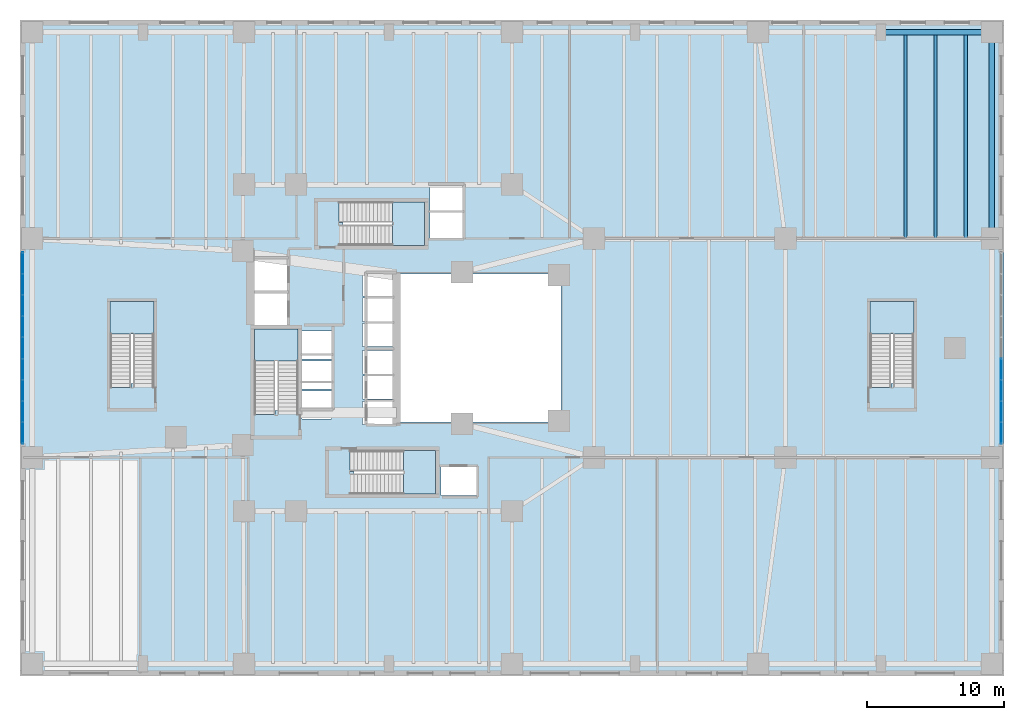
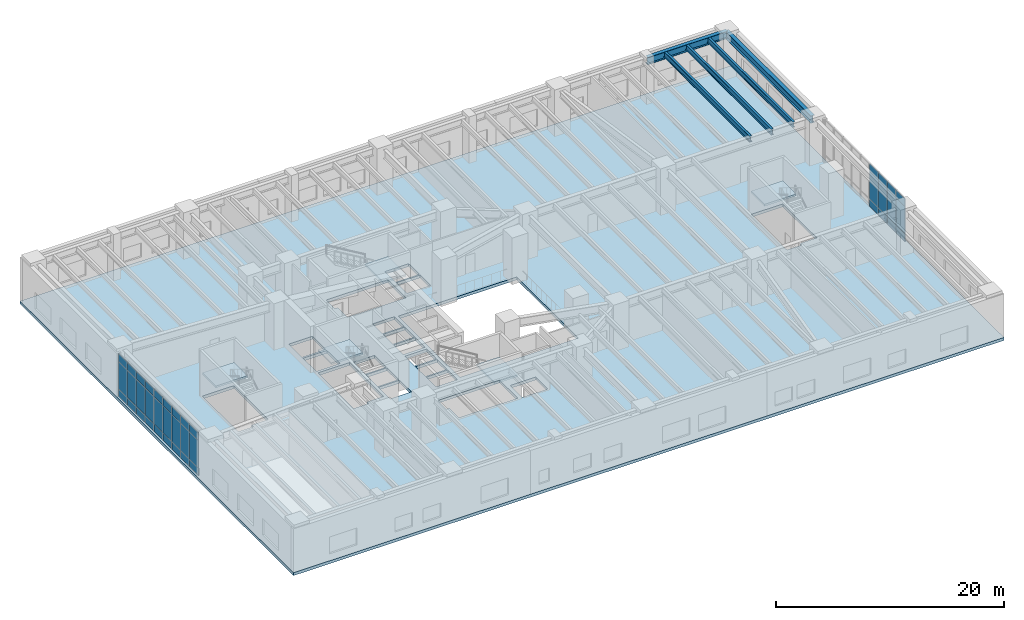
# One storey, part 11 of 18: 39 plates, 6 slabs, 5 beams, 7 elements without a shape of their own.
"""IFC4 building model written with IfcOpenShell, lengths in metres."""

from ifc_helpers import new_model, si_unit, direction, frame, origin, origin_2d, place, context, subcontext, project, spatial, polyline, rectangle, i_section, outline, extrude, material, layer, layer_set, material_profile, profile_set, type_object, element, aggregate, save


model = new_model("IFC4")

# Units and contexts
model_context = context("Model", 3, precision=1e-05, world=origin(), true_north=direction((0.0, 1.0)))
body_context = subcontext(model_context, "Body", "Model", "MODEL_VIEW")
ifc_project = project(units=[si_unit("LENGTHUNIT", "METRE"), si_unit("AREAUNIT", "SQUARE_METRE"), si_unit("VOLUMEUNIT", "CUBIC_METRE"), si_unit("PLANEANGLEUNIT", "RADIAN"), si_unit("MASSUNIT", "GRAM", prefix="KILO"), si_unit("THERMODYNAMICTEMPERATUREUNIT", "KELVIN"), si_unit("POWERUNIT", "WATT")], contexts=[model_context])

# Site, building, storey
site_placement = place(None, origin())
site = spatial("IfcSite", under=ifc_project, at=site_placement, CompositionType="ELEMENT")
building_placement = place(site_placement, origin())
building = spatial("IfcBuilding", under=site, at=building_placement, Name="Skarre Station Tower", CompositionType="ELEMENT")
storey_placement = place(building_placement, frame((0.0, 0.0, 11.0)))
storey = spatial("IfcBuildingStorey", under=building, at=storey_placement, Name="L03", CompositionType="ELEMENT", Elevation=11.0)

# Beams
ifc_material_1 = material(Name="Steel ASTM A992 Grade 50", Category="steel")
ifc_material_profile_1 = material_profile(ifc_material_1, i_section(OverallWidth=0.22802734375, OverallDepth=0.60791015625, WebThickness=0.010986328125, FlangeThickness=0.01708984375, at=origin_2d()), Name="Steel ASTM A992 Grade 50")
ifc_profile_set_1 = profile_set([ifc_material_profile_1], Name="Steel ASTM A992 Grade 50")
beam_type_1 = type_object("IfcBeamType", Name="Steel Joist W24X76", PredefinedType="JOIST", material=ifc_profile_set_1)
for number, where, z_axis, x_axis, name in (
    (1, (64.800048828125, 32.0, 4.385986328125), (0.0, 1.0, 0.0), (-1.0, 0.0, 0.0), "L03 North Bay Joist 24"),
    (2, (67.0, 32.0, 4.385986328125), (0.0, 1.0, 0.0), (-1.0, 0.0, 0.0), "L03 North Bay Joist 25"),
    (3, (69.199951171875, 32.0, 4.385986328125), (0.0, 1.0, 0.0), (-1.0, 0.0, 0.0), "L03 North Bay Joist 26"),
):
    element("IfcBeam", number, at=place(storey_placement, frame(where, z_axis=z_axis, x_axis=x_axis)), inside=storey, type_object=beam_type_1, Name=name, PredefinedType="JOIST", context=body_context, shape_type="SweptSolid", body=[
        extrude(i_section(OverallWidth=0.22802734375, OverallDepth=0.60791015625, WebThickness=0.010986328125, FlangeThickness=0.01708984375, at=origin_2d()), origin(), (0.0, 0.0, 1.0), 15.10009765625),
    ])
ifc_material_profile_2 = material_profile(ifc_material_1, i_section(OverallWidth=0.384033203125, OverallDepth=0.785888671875, WebThickness=0.02001953125, FlangeThickness=0.032958984375, at=origin_2d()), Name="Steel ASTM A992 Grade 50")
ifc_profile_set_2 = profile_set([ifc_material_profile_2], Name="Steel ASTM A992 Grade 50")
beam_type_2 = type_object("IfcBeamType", Name="Steel Spandrel W30X211", PredefinedType="SPANDREL", material=ifc_profile_set_2)
beam_1_placement = place(storey_placement, frame((63.0, 47.10009765625, 4.297119140625), z_axis=(1.0, 0.0, 0.0), x_axis=(0.0, 1.0, 0.0)))
element("IfcBeam", 4, at=beam_1_placement, inside=storey, type_object=beam_type_2, Name="L03 North Podium Spandrel 8", PredefinedType="SPANDREL", context=body_context, shape_type="SweptSolid", body=[
    extrude(i_section(OverallWidth=0.384033203125, OverallDepth=0.785888671875, WebThickness=0.02001953125, FlangeThickness=0.032958984375, at=origin_2d()), origin(), (0.0, 0.0, 1.0), 8.10009765625),
])
beam_2_placement = place(storey_placement, frame((71.10009765625, 32.0, 4.297119140625), z_axis=(0.0, 1.0, 0.0), x_axis=(-1.0, 0.0, 0.0)))
element("IfcBeam", 5, at=beam_2_placement, inside=storey, type_object=beam_type_2, Name="L03 East Podium Spandrel 3", PredefinedType="SPANDREL", context=body_context, shape_type="SweptSolid", body=[
    extrude(i_section(OverallWidth=0.384033203125, OverallDepth=0.785888671875, WebThickness=0.02001953125, FlangeThickness=0.032958984375, at=origin_2d()), origin(), (0.0, 0.0, 1.0), 15.10009765625),
])

# Curtain wall, plates
ifc_material_2 = material(Name="Thermally Broken Bronze-Anodized Aluminium & Triple Low-E Glass", Category="aluminium")
ifc_layer_1 = layer(ifc_material_2, 0.239990234375, Name="Thermally Broken Bronze-Anodized Aluminium & Triple Low-E Glass")
ifc_layer_set_1 = layer_set([ifc_layer_1], Name="Thermally Broken Bronze-Anodized Aluminium & Triple Low-E Glass")
curtain_wall_type = type_object("IfcCurtainWallType", Name="Station Concourse Monumental Unitised Curtain Wall", PredefinedType="NOTDEFINED", material=ifc_layer_set_1)
curtain_wall_1_placement = place(storey_placement, origin())
curtain_wall_1 = element("IfcCurtainWall", 6, at=curtain_wall_1_placement, inside=storey, type_object=curtain_wall_type, Name="L03 West Atrium Clerestory Curtain Wall", PredefinedType="NOTDEFINED")
ifc_material_3 = material(Name="Insulated Bronze Anodized Aluminium Spandrel", Category="aluminium")
ifc_layer_2 = layer(ifc_material_3, 0.052001953125, Name="Insulated Bronze Anodized Aluminium Spandrel")
ifc_layer_set_2 = layer_set([ifc_layer_2], Name="Insulated Bronze Anodized Aluminium Spandrel")
plate_type_1 = type_object("IfcPlateType", Name="Bronze Insulated Spandrel Sheet Panel 52", PredefinedType="SHEET", material=ifc_layer_set_2)
plate_1_placement = place(storey_placement, frame((0.199951171875, 17.778076171875, 0.05224609375), z_axis=(0.0, 0.0, 1.0), x_axis=(0.0, 1.0, 0.0)))
plate_1 = element("IfcPlate", 7, at=plate_1_placement, type_object=plate_type_1, Name="L03 West Atrium Clerestory Curtain Wall Spandrel Panel 1-1", PredefinedType="SHEET", context=body_context, shape_type="SweptSolid", body=[
    extrude(rectangle(XDim=1.531982421875, YDim=0.052001953125, at=origin_2d()), origin(), (0.0, 0.0, 1.0), 0.785888671875),
])
plate_2_placement = place(storey_placement, frame((0.199951171875, 19.3330078125, 0.05224609375), z_axis=(0.0, 0.0, 1.0), x_axis=(0.0, 1.0, 0.0)))
plate_2 = element("IfcPlate", 8, at=plate_2_placement, type_object=plate_type_1, Name="L03 West Atrium Clerestory Curtain Wall Spandrel Panel 2-1", PredefinedType="SHEET", context=body_context, shape_type="SweptSolid", body=[
    extrude(rectangle(XDim=1.531982421875, YDim=0.052001953125, at=origin_2d()), origin(), (0.0, 0.0, 1.0), 0.785888671875),
])
plate_3_placement = place(storey_placement, frame((0.199951171875, 20.888916015625, 0.05224609375), z_axis=(0.0, 0.0, 1.0), x_axis=(0.0, 1.0, 0.0)))
plate_3 = element("IfcPlate", 9, at=plate_3_placement, type_object=plate_type_1, Name="L03 West Atrium Clerestory Curtain Wall Spandrel Panel 3-1", PredefinedType="SHEET", context=body_context, shape_type="SweptSolid", body=[
    extrude(rectangle(XDim=1.531982421875, YDim=0.052001953125, at=origin_2d()), origin(), (0.0, 0.0, 1.0), 0.785888671875),
])
plate_4_placement = place(storey_placement, frame((0.199951171875, 22.444091796875, 0.05224609375), z_axis=(0.0, 0.0, 1.0), x_axis=(0.0, 1.0, 0.0)))
plate_4 = element("IfcPlate", 10, at=plate_4_placement, type_object=plate_type_1, Name="L03 West Atrium Clerestory Curtain Wall Spandrel Panel 4-1", PredefinedType="SHEET", context=body_context, shape_type="SweptSolid", body=[
    extrude(rectangle(XDim=1.531982421875, YDim=0.052001953125, at=origin_2d()), origin(), (0.0, 0.0, 1.0), 0.785888671875),
])
plate_5_placement = place(storey_placement, frame((0.199951171875, 24.0, 0.05224609375), z_axis=(0.0, 0.0, 1.0), x_axis=(0.0, 1.0, 0.0)))
plate_5 = element("IfcPlate", 11, at=plate_5_placement, type_object=plate_type_1, Name="L03 West Atrium Clerestory Curtain Wall Spandrel Panel 5-1", PredefinedType="SHEET", context=body_context, shape_type="SweptSolid", body=[
    extrude(rectangle(XDim=1.531982421875, YDim=0.052001953125, at=origin_2d()), origin(), (0.0, 0.0, 1.0), 0.785888671875),
])
plate_6_placement = place(storey_placement, frame((0.199951171875, 25.555908203125, 0.05224609375), z_axis=(0.0, 0.0, 1.0), x_axis=(0.0, 1.0, 0.0)))
plate_6 = element("IfcPlate", 12, at=plate_6_placement, type_object=plate_type_1, Name="L03 West Atrium Clerestory Curtain Wall Spandrel Panel 6-1", PredefinedType="SHEET", context=body_context, shape_type="SweptSolid", body=[
    extrude(rectangle(XDim=1.531982421875, YDim=0.052001953125, at=origin_2d()), origin(), (0.0, 0.0, 1.0), 0.785888671875),
])
plate_7_placement = place(storey_placement, frame((0.199951171875, 27.111083984375, 0.05224609375), z_axis=(0.0, 0.0, 1.0), x_axis=(0.0, 1.0, 0.0)))
plate_7 = element("IfcPlate", 13, at=plate_7_placement, type_object=plate_type_1, Name="L03 West Atrium Clerestory Curtain Wall Spandrel Panel 7-1", PredefinedType="SHEET", context=body_context, shape_type="SweptSolid", body=[
    extrude(rectangle(XDim=1.531982421875, YDim=0.052001953125, at=origin_2d()), origin(), (0.0, 0.0, 1.0), 0.785888671875),
])
plate_8_placement = place(storey_placement, frame((0.199951171875, 28.6669921875, 0.05224609375), z_axis=(0.0, 0.0, 1.0), x_axis=(0.0, 1.0, 0.0)))
plate_8 = element("IfcPlate", 14, at=plate_8_placement, type_object=plate_type_1, Name="L03 West Atrium Clerestory Curtain Wall Spandrel Panel 8-1", PredefinedType="SHEET", context=body_context, shape_type="SweptSolid", body=[
    extrude(rectangle(XDim=1.531982421875, YDim=0.052001953125, at=origin_2d()), origin(), (0.0, 0.0, 1.0), 0.785888671875),
])
plate_9_placement = place(storey_placement, frame((0.199951171875, 30.221923828125, 0.05224609375), z_axis=(0.0, 0.0, 1.0), x_axis=(0.0, 1.0, 0.0)))
plate_9 = element("IfcPlate", 15, at=plate_9_placement, type_object=plate_type_1, Name="L03 West Atrium Clerestory Curtain Wall Spandrel Panel 9-1", PredefinedType="SHEET", context=body_context, shape_type="SweptSolid", body=[
    extrude(rectangle(XDim=1.531982421875, YDim=0.052001953125, at=origin_2d()), origin(), (0.0, 0.0, 1.0), 0.785888671875),
])

curtain_wall_2_placement = place(storey_placement, origin())
curtain_wall_2 = element("IfcCurtainWall", 16, at=curtain_wall_2_placement, inside=storey, type_object=curtain_wall_type, Name="L03 East Forum Clerestory Curtain Wall", PredefinedType="NOTDEFINED")
plate_10_placement = place(storey_placement, frame((71.800048828125, 22.444091796875, 0.05224609375), z_axis=(0.0, 0.0, 1.0), x_axis=(0.0, -1.0, 0.0)))
plate_10 = element("IfcPlate", 17, at=plate_10_placement, type_object=plate_type_1, Name="L03 East Forum Clerestory Curtain Wall Spandrel Panel 6-1", PredefinedType="SHEET", context=body_context, shape_type="SweptSolid", body=[
    extrude(rectangle(XDim=1.531982421875, YDim=0.052001953125, at=origin_2d()), origin(), (0.0, 0.0, 1.0), 0.785888671875),
])
plate_11_placement = place(storey_placement, frame((71.800048828125, 20.888916015625, 0.05224609375), z_axis=(0.0, 0.0, 1.0), x_axis=(0.0, -1.0, 0.0)))
plate_11 = element("IfcPlate", 18, at=plate_11_placement, type_object=plate_type_1, Name="L03 East Forum Clerestory Curtain Wall Spandrel Panel 7-1", PredefinedType="SHEET", context=body_context, shape_type="SweptSolid", body=[
    extrude(rectangle(XDim=1.531982421875, YDim=0.052001953125, at=origin_2d()), origin(), (0.0, 0.0, 1.0), 0.785888671875),
])
plate_12_placement = place(storey_placement, frame((71.800048828125, 19.3330078125, 0.05224609375), z_axis=(0.0, 0.0, 1.0), x_axis=(0.0, -1.0, 0.0)))
plate_12 = element("IfcPlate", 19, at=plate_12_placement, type_object=plate_type_1, Name="L03 East Forum Clerestory Curtain Wall Spandrel Panel 8-1", PredefinedType="SHEET", context=body_context, shape_type="SweptSolid", body=[
    extrude(rectangle(XDim=1.531982421875, YDim=0.052001953125, at=origin_2d()), origin(), (0.0, 0.0, 1.0), 0.785888671875),
])
plate_13_placement = place(storey_placement, frame((71.800048828125, 17.778076171875, 0.05224609375), z_axis=(0.0, 0.0, 1.0), x_axis=(0.0, -1.0, 0.0)))
plate_13 = element("IfcPlate", 20, at=plate_13_placement, type_object=plate_type_1, Name="L03 East Forum Clerestory Curtain Wall Spandrel Panel 9-1", PredefinedType="SHEET", context=body_context, shape_type="SweptSolid", body=[
    extrude(rectangle(XDim=1.531982421875, YDim=0.052001953125, at=origin_2d()), origin(), (0.0, 0.0, 1.0), 0.785888671875),
])

# Slab
ifc_material_4 = material(Name="Concrete C50/60", Category="concrete")
ifc_layer_3 = layer(ifc_material_4, 0.31005859375, Name="Concrete C50/60")
ifc_layer_set_3 = layer_set([ifc_layer_3], Name="Concrete C50/60")
slab_type_1 = type_object("IfcSlabType", Name="Podium & Plant Structural Slab 310", PredefinedType="FLOOR", material=ifc_layer_set_3)
slab_1_placement = place(storey_placement, frame((0.0, 0.0, -0.31005859375)))
element("IfcSlab", 21, at=slab_1_placement, inside=storey, type_object=slab_type_1, Name="L03 Station Podium Structural Floor Slab", PredefinedType="FLOOR", context=body_context, shape_type="SweptSolid", body=[
    extrude(outline(polyline([(0.0, 0.0), (72.0, 0.0), (72.0, 48.0), (0.0, 48.0), (0.0, 0.0)]), holes=[polyline([(18.669921875, 19.419921875), (18.669921875, 19.123046875), (17.14990234375, 19.123046875), (17.14990234375, 25.39990234375), (20.35009765625, 25.39990234375), (20.35009765625, 19.419921875), (18.669921875, 19.419921875)]), polyline([(24.449951171875, 14.97998046875), (24.153076171875, 14.97998046875), (24.153076171875, 16.5), (30.39990234375, 16.5), (30.39990234375, 13.300048828125), (24.449951171875, 13.300048828125), (24.449951171875, 14.97998046875)]), polyline([(23.64990234375, 33.179931640625), (23.35302734375, 33.179931640625), (23.35302734375, 34.699951171875), (29.60009765625, 34.699951171875), (29.60009765625, 31.5), (23.64990234375, 31.5), (23.64990234375, 33.179931640625)]), polyline([(8.1201171875, 21.419921875), (8.1201171875, 21.123046875), (6.60009765625, 21.123046875), (6.60009765625, 27.39990234375), (9.800048828125, 27.39990234375), (9.800048828125, 21.419921875), (8.1201171875, 21.419921875)]), polyline([(63.719970703125, 21.419921875), (63.719970703125, 21.123046875), (62.199951171875, 21.123046875), (62.199951171875, 27.39990234375), (65.39990234375, 27.39990234375), (65.39990234375, 21.419921875), (63.719970703125, 21.419921875)]), polyline([(17.14990234375, 28.0), (19.550048828125, 28.0), (19.550048828125, 25.699951171875), (17.14990234375, 25.699951171875), (17.14990234375, 28.0)]), polyline([(17.14990234375, 30.5), (19.550048828125, 30.5), (19.550048828125, 28.199951171875), (17.14990234375, 28.199951171875), (17.14990234375, 30.5)]), polyline([(30.800048828125, 15.300048828125), (33.39990234375, 15.300048828125), (33.39990234375, 13.199951171875), (30.800048828125, 13.199951171875), (30.800048828125, 15.300048828125)]), polyline([(25.050048828125, 20.10009765625), (27.25, 20.10009765625), (27.25, 18.39990234375), (25.050048828125, 18.39990234375), (25.050048828125, 20.10009765625)]), polyline([(25.050048828125, 21.949951171875), (27.25, 21.949951171875), (27.25, 20.25), (25.050048828125, 20.25), (25.050048828125, 21.949951171875)]), polyline([(25.050048828125, 23.800048828125), (27.25, 23.800048828125), (27.25, 22.10009765625), (25.050048828125, 22.10009765625), (25.050048828125, 23.800048828125)]), polyline([(25.050048828125, 25.800048828125), (27.25, 25.800048828125), (27.25, 24.10009765625), (25.050048828125, 24.10009765625), (25.050048828125, 25.800048828125)]), polyline([(25.050048828125, 27.64990234375), (27.25, 27.64990234375), (27.25, 25.949951171875), (25.050048828125, 25.949951171875), (25.050048828125, 27.64990234375)]), polyline([(25.050048828125, 29.5), (27.25, 29.5), (27.25, 27.800048828125), (25.050048828125, 27.800048828125), (25.050048828125, 29.5)]), polyline([(20.64990234375, 20.85009765625), (22.800048828125, 20.85009765625), (22.800048828125, 18.800048828125), (20.64990234375, 18.800048828125), (20.64990234375, 20.85009765625)]), polyline([(20.64990234375, 23.050048828125), (22.800048828125, 23.050048828125), (22.800048828125, 21.0), (20.64990234375, 21.0), (20.64990234375, 23.050048828125)]), polyline([(20.64990234375, 25.25), (22.800048828125, 25.25), (22.800048828125, 23.199951171875), (20.64990234375, 23.199951171875), (20.64990234375, 25.25)]), polyline([(30.0, 33.89990234375), (32.39990234375, 33.89990234375), (32.39990234375, 32.050048828125), (30.0, 32.050048828125), (30.0, 33.89990234375)]), polyline([(30.0, 35.89990234375), (32.39990234375, 35.89990234375), (32.39990234375, 34.050048828125), (30.0, 34.050048828125), (30.0, 35.89990234375)]), polyline([(27.60009765625, 29.39990234375), (39.60009765625, 29.39990234375), (39.60009765625, 18.60009765625), (27.60009765625, 18.60009765625), (27.60009765625, 29.39990234375)])]), origin(), (0.0, 0.0, 1.0), 0.31005859375),
])

# Stair, slab
ifc_material_5 = material(Name="Concrete C40/50", Category="concrete")
stair_type_1 = type_object("IfcStairType", Name="Reinforced Concrete Exit Stair ST-1", PredefinedType="HALF_TURN_STAIR", material=ifc_material_5)
stair_1_placement = place(storey_placement, origin())
stair_1 = element("IfcStair", 22, at=stair_1_placement, inside=storey, type_object=stair_type_1, Name="L03 Core Exit Stair ST-1", PredefinedType="HALF_TURN_STAIR")
ifc_layer_4 = layer(ifc_material_5, 0.219970703125, Name="Concrete C40/50")
ifc_layer_set_4 = layer_set([ifc_layer_4], Name="Concrete C40/50")
slab_type_2 = type_object("IfcSlabType", Name="Reinforced Concrete Stair & Ramp Landing 220", PredefinedType="LANDING", material=ifc_layer_set_4)
slab_2_placement = place(storey_placement, frame((0.0, 0.0, 2.300048828125)))
slab_2 = element("IfcSlab", 23, at=slab_2_placement, type_object=slab_type_2, Name="ST-1 landing 1", PredefinedType="LANDING", context=body_context, shape_type="SweptSolid", body=[
    extrude(outline(polyline([(20.35009765625, 23.0400390625), (20.35009765625, 25.39990234375), (17.14990234375, 25.39990234375), (17.14990234375, 23.0400390625), (20.35009765625, 23.0400390625)])), origin(), (0.0, 0.0, 1.0), 0.199951171875),
])
aggregate(stair_1, [slab_2])

stair_type_2 = type_object("IfcStairType", Name="Reinforced Concrete Exit Stair ST-2", PredefinedType="HALF_TURN_STAIR", material=ifc_material_5)
stair_2_placement = place(storey_placement, origin())
stair_2 = element("IfcStair", 24, at=stair_2_placement, inside=storey, type_object=stair_type_2, Name="L03 Core Exit Stair ST-2", PredefinedType="HALF_TURN_STAIR")
slab_3_placement = place(storey_placement, frame((0.0, 0.0, 2.300048828125)))
slab_3 = element("IfcSlab", 25, at=slab_3_placement, type_object=slab_type_2, Name="ST-2 landing 1", PredefinedType="LANDING", context=body_context, shape_type="SweptSolid", body=[
    extrude(outline(polyline([(28.070068359375, 13.300048828125), (30.39990234375, 13.300048828125), (30.39990234375, 16.5), (28.070068359375, 16.5), (28.070068359375, 13.300048828125)])), origin(), (0.0, 0.0, 1.0), 0.199951171875),
])
aggregate(stair_2, [slab_3])

stair_type_3 = type_object("IfcStairType", Name="Reinforced Concrete Exit Stair ST-3", PredefinedType="HALF_TURN_STAIR", material=ifc_material_5)
stair_3_placement = place(storey_placement, origin())
stair_3 = element("IfcStair", 26, at=stair_3_placement, inside=storey, type_object=stair_type_3, Name="L03 Core Exit Stair ST-3", PredefinedType="HALF_TURN_STAIR")
slab_4_placement = place(storey_placement, frame((0.0, 0.0, 2.300048828125)))
slab_4 = element("IfcSlab", 27, at=slab_4_placement, type_object=slab_type_2, Name="ST-3 landing 1", PredefinedType="LANDING", context=body_context, shape_type="SweptSolid", body=[
    extrude(outline(polyline([(27.27001953125, 31.5), (29.60009765625, 31.5), (29.60009765625, 34.699951171875), (27.27001953125, 34.699951171875), (27.27001953125, 31.5)])), origin(), (0.0, 0.0, 1.0), 0.199951171875),
])
aggregate(stair_3, [slab_4])

stair_type_4 = type_object("IfcStairType", Name="Reinforced Concrete Exit Stair ST-4", PredefinedType="HALF_TURN_STAIR", material=ifc_material_5)
stair_4_placement = place(storey_placement, origin())
stair_4 = element("IfcStair", 28, at=stair_4_placement, inside=storey, type_object=stair_type_4, Name="L03 Podium Concourse Exit Stair ST-4", PredefinedType="HALF_TURN_STAIR")
slab_5_placement = place(storey_placement, frame((0.0, 0.0, 2.300048828125)))
slab_5 = element("IfcSlab", 29, at=slab_5_placement, type_object=slab_type_2, Name="ST-4 landing 1", PredefinedType="LANDING", context=body_context, shape_type="SweptSolid", body=[
    extrude(outline(polyline([(9.800048828125, 25.0400390625), (9.800048828125, 27.39990234375), (6.60009765625, 27.39990234375), (6.60009765625, 25.0400390625), (9.800048828125, 25.0400390625)])), origin(), (0.0, 0.0, 1.0), 0.199951171875),
])
aggregate(stair_4, [slab_5])

stair_type_5 = type_object("IfcStairType", Name="Reinforced Concrete Exit Stair ST-5", PredefinedType="HALF_TURN_STAIR", material=ifc_material_5)
stair_5_placement = place(storey_placement, origin())
stair_5 = element("IfcStair", 30, at=stair_5_placement, inside=storey, type_object=stair_type_5, Name="L03 Podium Concourse Exit Stair ST-5", PredefinedType="HALF_TURN_STAIR")
slab_6_placement = place(storey_placement, frame((0.0, 0.0, 2.300048828125)))
slab_6 = element("IfcSlab", 31, at=slab_6_placement, type_object=slab_type_2, Name="ST-5 landing 1", PredefinedType="LANDING", context=body_context, shape_type="SweptSolid", body=[
    extrude(outline(polyline([(65.39990234375, 25.0400390625), (65.39990234375, 27.39990234375), (62.199951171875, 27.39990234375), (62.199951171875, 25.0400390625), (65.39990234375, 25.0400390625)])), origin(), (0.0, 0.0, 1.0), 0.199951171875),
])
aggregate(stair_5, [slab_6])

# Plate
ifc_material_6 = material(Name="Low-Iron Triple Insulating Glass Unit", Category="glass")
ifc_layer_5 = layer(ifc_material_6, 0.0439453125, Name="Low-Iron Triple Insulating Glass Unit")
ifc_layer_set_5 = layer_set([ifc_layer_5], Name="Low-Iron Triple Insulating Glass Unit")
plate_type_2 = type_object("IfcPlateType", Name="Triple-Glazed Vision Curtain Panel 44", PredefinedType="CURTAIN_PANEL", material=ifc_layer_set_5)
plate_14_placement = place(storey_placement, frame((0.199951171875, 17.778076171875, 0.862060546875), z_axis=(0.0, 0.0, 1.0), x_axis=(0.0, 1.0, 0.0)))
plate_14 = element("IfcPlate", 32, at=plate_14_placement, type_object=plate_type_2, Name="L03 West Atrium Clerestory Curtain Wall Vision Panel 1-2", PredefinedType="CURTAIN_PANEL", context=body_context, shape_type="SweptSolid", body=[
    extrude(rectangle(XDim=1.531982421875, YDim=0.0439453125, at=origin_2d()), origin(), (0.0, 0.0, 1.0), 2.916015625),
])

plate_15_placement = place(storey_placement, frame((0.199951171875, 17.778076171875, 3.802001953125), z_axis=(0.0, 0.0, 1.0), x_axis=(0.0, 1.0, 0.0)))
plate_15 = element("IfcPlate", 33, at=plate_15_placement, type_object=plate_type_2, Name="L03 West Atrium Clerestory Curtain Wall Vision Panel 1-3", PredefinedType="CURTAIN_PANEL", context=body_context, shape_type="SweptSolid", body=[
    extrude(rectangle(XDim=1.531982421875, YDim=0.0439453125, at=origin_2d()), origin(), (0.0, 0.0, 1.0), 0.8359375),
])

plate_16_placement = place(storey_placement, frame((0.199951171875, 19.3330078125, 0.862060546875), z_axis=(0.0, 0.0, 1.0), x_axis=(0.0, 1.0, 0.0)))
plate_16 = element("IfcPlate", 34, at=plate_16_placement, type_object=plate_type_2, Name="L03 West Atrium Clerestory Curtain Wall Vision Panel 2-2", PredefinedType="CURTAIN_PANEL", context=body_context, shape_type="SweptSolid", body=[
    extrude(rectangle(XDim=1.531982421875, YDim=0.0439453125, at=origin_2d()), origin(), (0.0, 0.0, 1.0), 2.916015625),
])

plate_17_placement = place(storey_placement, frame((0.199951171875, 19.3330078125, 3.802001953125), z_axis=(0.0, 0.0, 1.0), x_axis=(0.0, 1.0, 0.0)))
plate_17 = element("IfcPlate", 35, at=plate_17_placement, type_object=plate_type_2, Name="L03 West Atrium Clerestory Curtain Wall Vision Panel 2-3", PredefinedType="CURTAIN_PANEL", context=body_context, shape_type="SweptSolid", body=[
    extrude(rectangle(XDim=1.531982421875, YDim=0.0439453125, at=origin_2d()), origin(), (0.0, 0.0, 1.0), 0.8359375),
])

plate_18_placement = place(storey_placement, frame((0.199951171875, 20.888916015625, 0.862060546875), z_axis=(0.0, 0.0, 1.0), x_axis=(0.0, 1.0, 0.0)))
plate_18 = element("IfcPlate", 36, at=plate_18_placement, type_object=plate_type_2, Name="L03 West Atrium Clerestory Curtain Wall Vision Panel 3-2", PredefinedType="CURTAIN_PANEL", context=body_context, shape_type="SweptSolid", body=[
    extrude(rectangle(XDim=1.531982421875, YDim=0.0439453125, at=origin_2d()), origin(), (0.0, 0.0, 1.0), 2.916015625),
])

plate_19_placement = place(storey_placement, frame((0.199951171875, 20.888916015625, 3.802001953125), z_axis=(0.0, 0.0, 1.0), x_axis=(0.0, 1.0, 0.0)))
plate_19 = element("IfcPlate", 37, at=plate_19_placement, type_object=plate_type_2, Name="L03 West Atrium Clerestory Curtain Wall Vision Panel 3-3", PredefinedType="CURTAIN_PANEL", context=body_context, shape_type="SweptSolid", body=[
    extrude(rectangle(XDim=1.531982421875, YDim=0.0439453125, at=origin_2d()), origin(), (0.0, 0.0, 1.0), 0.8359375),
])

plate_20_placement = place(storey_placement, frame((0.199951171875, 22.444091796875, 0.862060546875), z_axis=(0.0, 0.0, 1.0), x_axis=(0.0, 1.0, 0.0)))
plate_20 = element("IfcPlate", 38, at=plate_20_placement, type_object=plate_type_2, Name="L03 West Atrium Clerestory Curtain Wall Vision Panel 4-2", PredefinedType="CURTAIN_PANEL", context=body_context, shape_type="SweptSolid", body=[
    extrude(rectangle(XDim=1.531982421875, YDim=0.0439453125, at=origin_2d()), origin(), (0.0, 0.0, 1.0), 2.916015625),
])

plate_21_placement = place(storey_placement, frame((0.199951171875, 22.444091796875, 3.802001953125), z_axis=(0.0, 0.0, 1.0), x_axis=(0.0, 1.0, 0.0)))
plate_21 = element("IfcPlate", 39, at=plate_21_placement, type_object=plate_type_2, Name="L03 West Atrium Clerestory Curtain Wall Vision Panel 4-3", PredefinedType="CURTAIN_PANEL", context=body_context, shape_type="SweptSolid", body=[
    extrude(rectangle(XDim=1.531982421875, YDim=0.0439453125, at=origin_2d()), origin(), (0.0, 0.0, 1.0), 0.8359375),
])

plate_22_placement = place(storey_placement, frame((0.199951171875, 24.0, 0.862060546875), z_axis=(0.0, 0.0, 1.0), x_axis=(0.0, 1.0, 0.0)))
plate_22 = element("IfcPlate", 40, at=plate_22_placement, type_object=plate_type_2, Name="L03 West Atrium Clerestory Curtain Wall Vision Panel 5-2", PredefinedType="CURTAIN_PANEL", context=body_context, shape_type="SweptSolid", body=[
    extrude(rectangle(XDim=1.531982421875, YDim=0.0439453125, at=origin_2d()), origin(), (0.0, 0.0, 1.0), 2.916015625),
])

plate_23_placement = place(storey_placement, frame((0.199951171875, 24.0, 3.802001953125), z_axis=(0.0, 0.0, 1.0), x_axis=(0.0, 1.0, 0.0)))
plate_23 = element("IfcPlate", 41, at=plate_23_placement, type_object=plate_type_2, Name="L03 West Atrium Clerestory Curtain Wall Vision Panel 5-3", PredefinedType="CURTAIN_PANEL", context=body_context, shape_type="SweptSolid", body=[
    extrude(rectangle(XDim=1.531982421875, YDim=0.0439453125, at=origin_2d()), origin(), (0.0, 0.0, 1.0), 0.8359375),
])

plate_24_placement = place(storey_placement, frame((0.199951171875, 25.555908203125, 0.862060546875), z_axis=(0.0, 0.0, 1.0), x_axis=(0.0, 1.0, 0.0)))
plate_24 = element("IfcPlate", 42, at=plate_24_placement, type_object=plate_type_2, Name="L03 West Atrium Clerestory Curtain Wall Vision Panel 6-2", PredefinedType="CURTAIN_PANEL", context=body_context, shape_type="SweptSolid", body=[
    extrude(rectangle(XDim=1.531982421875, YDim=0.0439453125, at=origin_2d()), origin(), (0.0, 0.0, 1.0), 2.916015625),
])

plate_25_placement = place(storey_placement, frame((0.199951171875, 25.555908203125, 3.802001953125), z_axis=(0.0, 0.0, 1.0), x_axis=(0.0, 1.0, 0.0)))
plate_25 = element("IfcPlate", 43, at=plate_25_placement, type_object=plate_type_2, Name="L03 West Atrium Clerestory Curtain Wall Vision Panel 6-3", PredefinedType="CURTAIN_PANEL", context=body_context, shape_type="SweptSolid", body=[
    extrude(rectangle(XDim=1.531982421875, YDim=0.0439453125, at=origin_2d()), origin(), (0.0, 0.0, 1.0), 0.8359375),
])

plate_26_placement = place(storey_placement, frame((0.199951171875, 27.111083984375, 0.862060546875), z_axis=(0.0, 0.0, 1.0), x_axis=(0.0, 1.0, 0.0)))
plate_26 = element("IfcPlate", 44, at=plate_26_placement, type_object=plate_type_2, Name="L03 West Atrium Clerestory Curtain Wall Vision Panel 7-2", PredefinedType="CURTAIN_PANEL", context=body_context, shape_type="SweptSolid", body=[
    extrude(rectangle(XDim=1.531982421875, YDim=0.0439453125, at=origin_2d()), origin(), (0.0, 0.0, 1.0), 2.916015625),
])

plate_27_placement = place(storey_placement, frame((0.199951171875, 27.111083984375, 3.802001953125), z_axis=(0.0, 0.0, 1.0), x_axis=(0.0, 1.0, 0.0)))
plate_27 = element("IfcPlate", 45, at=plate_27_placement, type_object=plate_type_2, Name="L03 West Atrium Clerestory Curtain Wall Vision Panel 7-3", PredefinedType="CURTAIN_PANEL", context=body_context, shape_type="SweptSolid", body=[
    extrude(rectangle(XDim=1.531982421875, YDim=0.0439453125, at=origin_2d()), origin(), (0.0, 0.0, 1.0), 0.8359375),
])

plate_28_placement = place(storey_placement, frame((0.199951171875, 28.6669921875, 0.862060546875), z_axis=(0.0, 0.0, 1.0), x_axis=(0.0, 1.0, 0.0)))
plate_28 = element("IfcPlate", 46, at=plate_28_placement, type_object=plate_type_2, Name="L03 West Atrium Clerestory Curtain Wall Vision Panel 8-2", PredefinedType="CURTAIN_PANEL", context=body_context, shape_type="SweptSolid", body=[
    extrude(rectangle(XDim=1.531982421875, YDim=0.0439453125, at=origin_2d()), origin(), (0.0, 0.0, 1.0), 2.916015625),
])

plate_29_placement = place(storey_placement, frame((0.199951171875, 28.6669921875, 3.802001953125), z_axis=(0.0, 0.0, 1.0), x_axis=(0.0, 1.0, 0.0)))
plate_29 = element("IfcPlate", 47, at=plate_29_placement, type_object=plate_type_2, Name="L03 West Atrium Clerestory Curtain Wall Vision Panel 8-3", PredefinedType="CURTAIN_PANEL", context=body_context, shape_type="SweptSolid", body=[
    extrude(rectangle(XDim=1.531982421875, YDim=0.0439453125, at=origin_2d()), origin(), (0.0, 0.0, 1.0), 0.8359375),
])

plate_30_placement = place(storey_placement, frame((0.199951171875, 30.221923828125, 0.862060546875), z_axis=(0.0, 0.0, 1.0), x_axis=(0.0, 1.0, 0.0)))
plate_30 = element("IfcPlate", 48, at=plate_30_placement, type_object=plate_type_2, Name="L03 West Atrium Clerestory Curtain Wall Vision Panel 9-2", PredefinedType="CURTAIN_PANEL", context=body_context, shape_type="SweptSolid", body=[
    extrude(rectangle(XDim=1.531982421875, YDim=0.0439453125, at=origin_2d()), origin(), (0.0, 0.0, 1.0), 2.916015625),
])

plate_31_placement = place(storey_placement, frame((0.199951171875, 30.221923828125, 3.802001953125), z_axis=(0.0, 0.0, 1.0), x_axis=(0.0, 1.0, 0.0)))
plate_31 = element("IfcPlate", 49, at=plate_31_placement, type_object=plate_type_2, Name="L03 West Atrium Clerestory Curtain Wall Vision Panel 9-3", PredefinedType="CURTAIN_PANEL", context=body_context, shape_type="SweptSolid", body=[
    extrude(rectangle(XDim=1.531982421875, YDim=0.0439453125, at=origin_2d()), origin(), (0.0, 0.0, 1.0), 0.8359375),
])

aggregate(curtain_wall_1, [plate_1, plate_14, plate_15, plate_2, plate_16, plate_17, plate_3, plate_18, plate_19, plate_4, plate_20, plate_21, plate_5, plate_22, plate_23, plate_6, plate_24, plate_25, plate_7, plate_26, plate_27, plate_8, plate_28, plate_29, plate_9, plate_30, plate_31])

plate_32_placement = place(storey_placement, frame((71.800048828125, 22.444091796875, 0.862060546875), z_axis=(0.0, 0.0, 1.0), x_axis=(0.0, -1.0, 0.0)))
plate_32 = element("IfcPlate", 50, at=plate_32_placement, type_object=plate_type_2, Name="L03 East Forum Clerestory Curtain Wall Vision Panel 6-2", PredefinedType="CURTAIN_PANEL", context=body_context, shape_type="SweptSolid", body=[
    extrude(rectangle(XDim=1.531982421875, YDim=0.0439453125, at=origin_2d()), origin(), (0.0, 0.0, 1.0), 2.916015625),
])

plate_33_placement = place(storey_placement, frame((71.800048828125, 22.444091796875, 3.802001953125), z_axis=(0.0, 0.0, 1.0), x_axis=(0.0, -1.0, 0.0)))
plate_33 = element("IfcPlate", 51, at=plate_33_placement, type_object=plate_type_2, Name="L03 East Forum Clerestory Curtain Wall Vision Panel 6-3", PredefinedType="CURTAIN_PANEL", context=body_context, shape_type="SweptSolid", body=[
    extrude(rectangle(XDim=1.531982421875, YDim=0.0439453125, at=origin_2d()), origin(), (0.0, 0.0, 1.0), 0.8359375),
])

plate_34_placement = place(storey_placement, frame((71.800048828125, 20.888916015625, 0.862060546875), z_axis=(0.0, 0.0, 1.0), x_axis=(0.0, -1.0, 0.0)))
plate_34 = element("IfcPlate", 52, at=plate_34_placement, type_object=plate_type_2, Name="L03 East Forum Clerestory Curtain Wall Vision Panel 7-2", PredefinedType="CURTAIN_PANEL", context=body_context, shape_type="SweptSolid", body=[
    extrude(rectangle(XDim=1.531982421875, YDim=0.0439453125, at=origin_2d()), origin(), (0.0, 0.0, 1.0), 2.916015625),
])

plate_35_placement = place(storey_placement, frame((71.800048828125, 20.888916015625, 3.802001953125), z_axis=(0.0, 0.0, 1.0), x_axis=(0.0, -1.0, 0.0)))
plate_35 = element("IfcPlate", 53, at=plate_35_placement, type_object=plate_type_2, Name="L03 East Forum Clerestory Curtain Wall Vision Panel 7-3", PredefinedType="CURTAIN_PANEL", context=body_context, shape_type="SweptSolid", body=[
    extrude(rectangle(XDim=1.531982421875, YDim=0.0439453125, at=origin_2d()), origin(), (0.0, 0.0, 1.0), 0.8359375),
])

plate_36_placement = place(storey_placement, frame((71.800048828125, 19.3330078125, 0.862060546875), z_axis=(0.0, 0.0, 1.0), x_axis=(0.0, -1.0, 0.0)))
plate_36 = element("IfcPlate", 54, at=plate_36_placement, type_object=plate_type_2, Name="L03 East Forum Clerestory Curtain Wall Vision Panel 8-2", PredefinedType="CURTAIN_PANEL", context=body_context, shape_type="SweptSolid", body=[
    extrude(rectangle(XDim=1.531982421875, YDim=0.0439453125, at=origin_2d()), origin(), (0.0, 0.0, 1.0), 2.916015625),
])

plate_37_placement = place(storey_placement, frame((71.800048828125, 19.3330078125, 3.802001953125), z_axis=(0.0, 0.0, 1.0), x_axis=(0.0, -1.0, 0.0)))
plate_37 = element("IfcPlate", 55, at=plate_37_placement, type_object=plate_type_2, Name="L03 East Forum Clerestory Curtain Wall Vision Panel 8-3", PredefinedType="CURTAIN_PANEL", context=body_context, shape_type="SweptSolid", body=[
    extrude(rectangle(XDim=1.531982421875, YDim=0.0439453125, at=origin_2d()), origin(), (0.0, 0.0, 1.0), 0.8359375),
])

plate_38_placement = place(storey_placement, frame((71.800048828125, 17.778076171875, 0.862060546875), z_axis=(0.0, 0.0, 1.0), x_axis=(0.0, -1.0, 0.0)))
plate_38 = element("IfcPlate", 56, at=plate_38_placement, type_object=plate_type_2, Name="L03 East Forum Clerestory Curtain Wall Vision Panel 9-2", PredefinedType="CURTAIN_PANEL", context=body_context, shape_type="SweptSolid", body=[
    extrude(rectangle(XDim=1.531982421875, YDim=0.0439453125, at=origin_2d()), origin(), (0.0, 0.0, 1.0), 2.916015625),
])

plate_39_placement = place(storey_placement, frame((71.800048828125, 17.778076171875, 3.802001953125), z_axis=(0.0, 0.0, 1.0), x_axis=(0.0, -1.0, 0.0)))
plate_39 = element("IfcPlate", 57, at=plate_39_placement, type_object=plate_type_2, Name="L03 East Forum Clerestory Curtain Wall Vision Panel 9-3", PredefinedType="CURTAIN_PANEL", context=body_context, shape_type="SweptSolid", body=[
    extrude(rectangle(XDim=1.531982421875, YDim=0.0439453125, at=origin_2d()), origin(), (0.0, 0.0, 1.0), 0.8359375),
])

aggregate(curtain_wall_2, [plate_10, plate_32, plate_33, plate_11, plate_34, plate_35, plate_12, plate_36, plate_37, plate_13, plate_38, plate_39])

save(model, "model.ifc")
